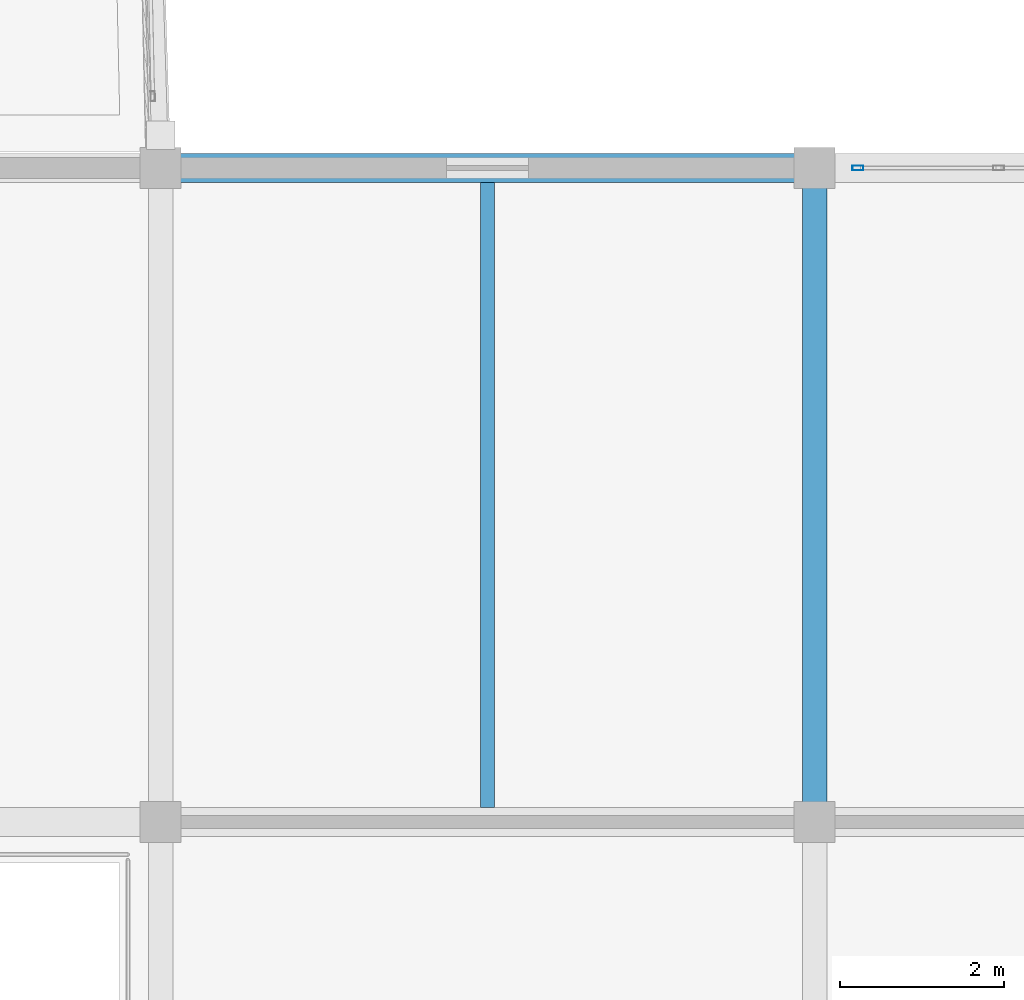
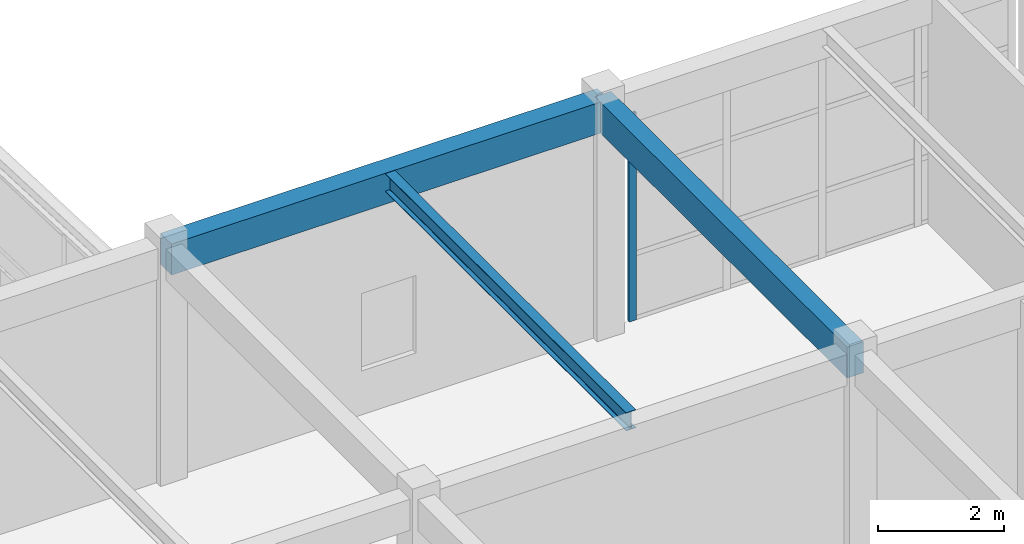
# One storey, part 25 of 248: 3 beams, 1 member, 1 element without a shape of its own.
"""IFC4 building model written with IfcOpenShell, lengths in metres."""

from ifc_helpers import new_model, si_unit, direction, frame, origin, origin_2d, place, context, subcontext, project, spatial, rectangle, hollow_rectangle, i_section, extrude, material, layer, layer_set, material_profile, profile_set, type_object, element, aggregate, save


model = new_model("IFC4")

# Units and contexts
model_context = context("Model", 3, precision=1e-05, world=origin(), true_north=direction((0.0, 1.0)))
body_context = subcontext(model_context, "Body", "Model", "MODEL_VIEW")
ifc_project = project(units=[si_unit("LENGTHUNIT", "METRE"), si_unit("AREAUNIT", "SQUARE_METRE"), si_unit("VOLUMEUNIT", "CUBIC_METRE"), si_unit("PLANEANGLEUNIT", "RADIAN"), si_unit("MASSUNIT", "GRAM", prefix="KILO")], contexts=[model_context])

# Site, building, storey
site_placement = place(None, origin())
site = spatial("IfcSite", under=ifc_project, at=site_placement, CompositionType="ELEMENT")
building_placement = place(site_placement, origin())
building = spatial("IfcBuilding", under=site, at=building_placement, Name="Canggui Botanical Conservatory", CompositionType="ELEMENT")
storey_placement = place(building_placement, frame((0.0, 0.0, 5.39990234375)))
storey = spatial("IfcBuildingStorey", under=building, at=storey_placement, Name="L02", CompositionType="ELEMENT", Elevation=5.39990234375)

# Beams
ifc_material_1 = material(Name="Steel Q355B", Category="steel")
ifc_material_profile_1 = material_profile(ifc_material_1, i_section(OverallWidth=0.175048828125, OverallDepth=0.35009765625, WebThickness=0.007080078125, FlangeThickness=0.010986328125, FilletRadius=0.013916015625, at=origin_2d()), Name="HN 350x175x7x11")
ifc_profile_set_1 = profile_set([ifc_material_profile_1], Name="Steel Q355B")
beam_type_1 = type_object("IfcBeamType", Name="BM-JST07", PredefinedType="JOIST", material=ifc_profile_set_1)
beam_1_placement = place(storey_placement, frame((46.0, 26.179931640625, 4.385009765625), z_axis=(0.0, 1.0, 0.0), x_axis=(-1.0, 0.0, 0.0)))
element("IfcBeam", 1, at=beam_1_placement, inside=storey, type_object=beam_type_1, Name="Visitor Composite Steel Joist L02-3-3", PredefinedType="JOIST", context=body_context, shape_type="SweptSolid", body=[
    extrude(i_section(OverallWidth=0.175048828125, OverallDepth=0.35009765625, WebThickness=0.007080078125, FlangeThickness=0.010986328125, FilletRadius=0.013916015625, at=origin_2d()), origin(), (0.0, 0.0, 1.0), 7.64013671875),
])
ifc_material_2 = material(Name="Concrete C35", Category="concrete")
ifc_material_profile_2 = material_profile(ifc_material_2, rectangle(XDim=0.35009765625, YDim=0.60009765625, at=origin_2d()), Name="RB 350x600")
ifc_profile_set_2 = profile_set([ifc_material_profile_2], Name="Concrete C35")
beam_type_2 = type_object("IfcBeamType", Name="BM-KL19", PredefinedType="BEAM", material=ifc_profile_set_2)
beam_2_placement = place(storey_placement, frame((42.0, 34.0, 4.260009765625), z_axis=(1.0, 0.0, 0.0), x_axis=(0.0, 1.0, 0.0)))
element("IfcBeam", 2, at=beam_2_placement, inside=storey, type_object=beam_type_2, Name="Visitor Girder L02 Y34-3", PredefinedType="BEAM", context=body_context, shape_type="SweptSolid", body=[
    extrude(rectangle(XDim=0.35009765625, YDim=0.60009765625, at=origin_2d()), origin(), (0.0, 0.0, 1.0), 8.0),
])
ifc_material_profile_3 = material_profile(ifc_material_2, rectangle(XDim=0.300048828125, YDim=0.60009765625, at=origin_2d()), Name="RB 300x600")
ifc_profile_set_3 = profile_set([ifc_material_profile_3], Name="Concrete C35")
beam_type_3 = type_object("IfcBeamType", Name="BM-KL23", PredefinedType="BEAM", material=ifc_profile_set_3)
beam_3_placement = place(storey_placement, frame((50.0, 26.0, 4.260009765625), z_axis=(0.0, 1.0, 0.0), x_axis=(-1.0, 0.0, 0.0)))
element("IfcBeam", 3, at=beam_3_placement, inside=storey, type_object=beam_type_3, Name="Visitor Girder L02 X50-3", PredefinedType="BEAM", context=body_context, shape_type="SweptSolid", body=[
    extrude(rectangle(XDim=0.300048828125, YDim=0.60009765625, at=origin_2d()), origin(), (0.0, 0.0, 1.0), 8.0),
])

# Curtain wall, member
ifc_material_3 = material(Name="Thermally Broken Aluminium", Category="aluminium")
ifc_layer = layer(ifc_material_3, 0.135009765625, Name="Thermally Broken Aluminium", Category="aluminium")
ifc_layer_set = layer_set([ifc_layer], Name="Thermally Broken Aluminium")
curtain_wall_type = type_object("IfcCurtainWallType", Name="CW-STICK-A", PredefinedType="USERDEFINED", material=ifc_layer_set)
curtain_wall_placement = place(storey_placement, origin())
curtain_wall = element("IfcCurtainWall", 4, at=curtain_wall_placement, inside=storey, type_object=curtain_wall_type, Name="Facade Curtain Wall CW-VIS-L02-14", ObjectType="STICK GLAZED WALL", PredefinedType="USERDEFINED")
ifc_material_profile_4 = material_profile(ifc_material_3, hollow_rectangle(XDim=0.06005859375, YDim=0.135009765625, WallThickness=0.00341796875, at=origin_2d()), Name="CWM 60x135x3.5")
ifc_profile_set_4 = profile_set([ifc_material_profile_4], Name="Thermally Broken Aluminium")
member_type = type_object("IfcMemberType", Name="CWM-04", PredefinedType="MULLION", material=ifc_profile_set_4)
member_placement = place(storey_placement, frame((50.530029296875, 34.0, 0.0), z_axis=(0.0, 0.0, 1.0), x_axis=(0.0, 1.0, 0.0)))
member = element("IfcMember", 5, at=member_placement, type_object=member_type, Name="CW-04 mullion 1", PredefinedType="MULLION", context=body_context, shape_type="SweptSolid", body=[
    extrude(hollow_rectangle(XDim=0.06005859375, YDim=0.135009765625, WallThickness=0.00341796875, at=origin_2d()), origin(), (0.0, 0.0, 1.0), 4.010009765625),
])
aggregate(curtain_wall, [member])

save(model, "model.ifc")
